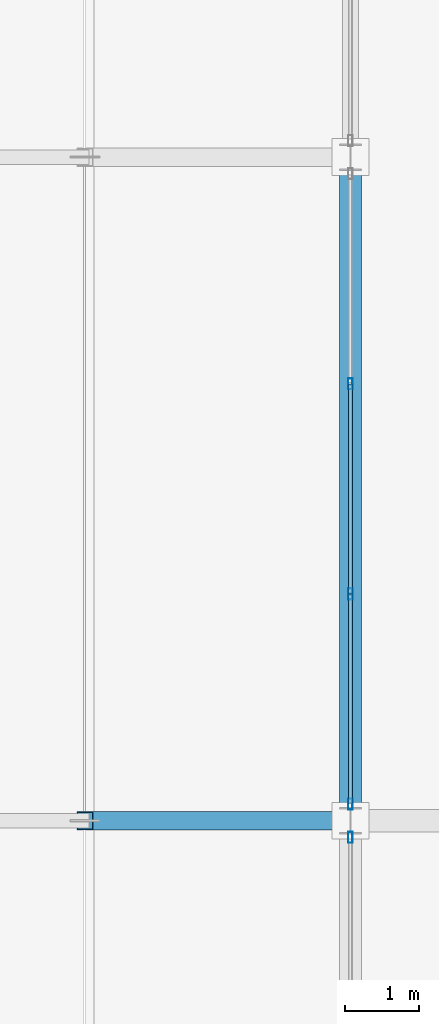
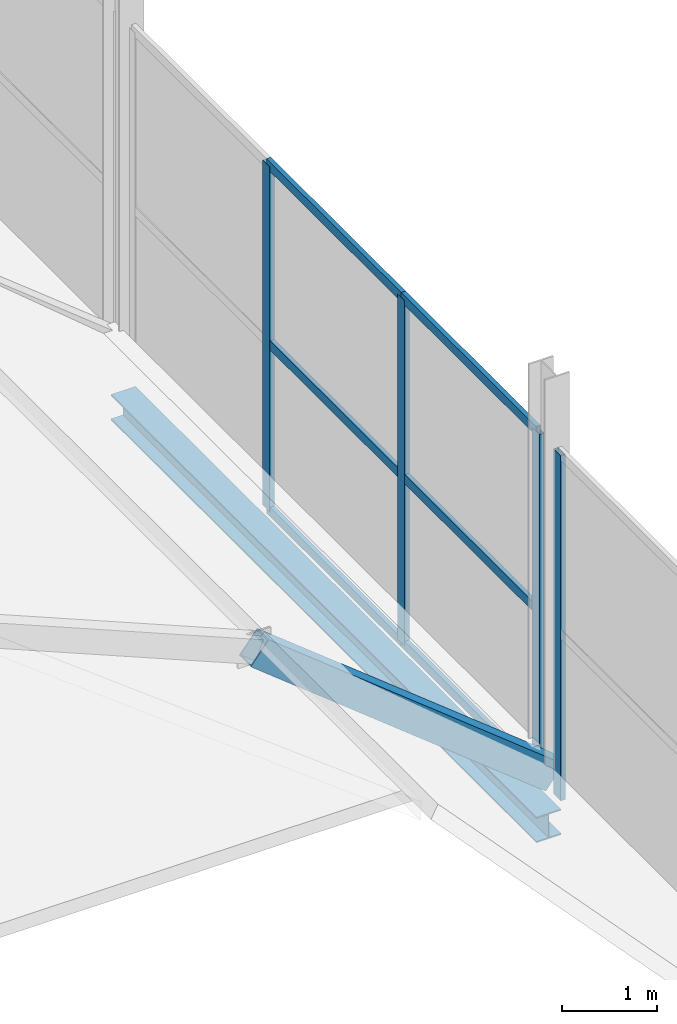
# One storey, part 32 of 141: 11 members, 1 beam, 2 elements without a shape of their own.
"""IFC4 building model written with IfcOpenShell, lengths in metres."""

from ifc_helpers import new_model, si_unit, direction, frame, origin, origin_2d, place, context, subcontext, project, spatial, hollow_rectangle, i_section, extrude, material, layer, layer_set, material_profile, profile_set, type_object, element, aggregate, save


model = new_model("IFC4")

# Units and contexts
model_context = context("Model", 3, precision=1e-05, world=origin(), true_north=direction((0.0, 1.0)))
body_context = subcontext(model_context, "Body", "Model", "MODEL_VIEW")
ifc_project = project(units=[si_unit("LENGTHUNIT", "METRE"), si_unit("AREAUNIT", "SQUARE_METRE"), si_unit("VOLUMEUNIT", "CUBIC_METRE"), si_unit("PLANEANGLEUNIT", "RADIAN"), si_unit("MASSUNIT", "GRAM", prefix="KILO")], contexts=[model_context])

# Site, building, storey
site_placement = place(None, origin())
site = spatial("IfcSite", under=ifc_project, at=site_placement, CompositionType="ELEMENT")
building_placement = place(site_placement, origin())
building = spatial("IfcBuilding", under=site, at=building_placement, Name="Sundgate Opera House", CompositionType="ELEMENT")
storey_placement = place(building_placement, frame((0.0, 0.0, 11.39990234375)))
storey = spatial("IfcBuildingStorey", under=building, at=storey_placement, Name="L02", CompositionType="ELEMENT", Elevation=11.39990234375)

# Beam
ifc_material_1 = material(Name="Steel S355J2", Category="steel")
ifc_material_profile_1 = material_profile(ifc_material_1, i_section(OverallWidth=0.300048828125, OverallDepth=0.330078125, WebThickness=0.009521484375, FlangeThickness=0.0166015625, at=origin_2d()), Name="HEA 340")
ifc_profile_set_1 = profile_set([ifc_material_profile_1], Name="Steel S355J2")
beam_type = type_object("IfcBeamType", Name="BM-GR-HEA340", PredefinedType="BEAM", material=ifc_profile_set_1)
beam_placement = place(storey_placement, frame((95.39990234375, 42.0, -0.514892578125), z_axis=(0.0, 1.0, 0.0), x_axis=(-1.0, 0.0, 0.0)))
element("IfcBeam", 1, at=beam_placement, inside=storey, type_object=beam_type, Name="L02 Primary N-S Girder B1848", PredefinedType="BEAM", context=body_context, shape_type="SweptSolid", body=[
    extrude(i_section(OverallWidth=0.300048828125, OverallDepth=0.330078125, WebThickness=0.009521484375, FlangeThickness=0.0166015625, at=origin_2d()), origin(), (0.0, 0.0, 1.0), 9.0),
])

# Curtain wall, member
ifc_material_2 = material(Name="Anodized aluminium and low-iron glass", Category="aluminium")
ifc_layer = layer(ifc_material_2, 0.159912109375)
ifc_layer_set = layer_set([ifc_layer], Name="Anodized aluminium and low-iron glass")
curtain_wall_type = type_object("IfcCurtainWallType", Name="CW-STUDIO-DARK", PredefinedType="NOTDEFINED", material=ifc_layer_set)
curtain_wall_1_placement = place(storey_placement, origin())
curtain_wall_1 = element("IfcCurtainWall", 2, at=curtain_wall_1_placement, inside=storey, type_object=curtain_wall_type, Name="L02 Curtain Wall CW062", PredefinedType="NOTDEFINED")
ifc_material_3 = material(Name="Anodized aluminium EN AW-6063", Category="aluminium")
ifc_material_profile_2 = material_profile(ifc_material_3, hollow_rectangle(XDim=0.06005859375, YDim=0.14990234375, WallThickness=0.00390625, at=origin_2d()), Name="CWM 150x60x4")
ifc_profile_set_2 = profile_set([ifc_material_profile_2], Name="Anodized aluminium EN AW-6063")
member_type_1 = type_object("IfcMemberType", Name="CWM-ALU-150x60", PredefinedType="MULLION", material=ifc_profile_set_2)
member_1_placement = place(storey_placement, frame((95.39990234375, 41.77490234375, 0.0), z_axis=(0.0, 0.0, 1.0), x_axis=(1.0, 0.0, 0.0)))
member_1 = element("IfcMember", 3, at=member_1_placement, type_object=member_type_1, Name="CW062 Mullion 1", PredefinedType="MULLION", context=body_context, shape_type="SweptSolid", body=[
    extrude(hollow_rectangle(XDim=0.06005859375, YDim=0.14990234375, WallThickness=0.00390625, at=origin_2d()), origin(), (0.0, 0.0, 1.0), 4.455078125),
])
aggregate(curtain_wall_1, [member_1])

# Curtain wall, members
curtain_wall_2_placement = place(storey_placement, origin())
curtain_wall_2 = element("IfcCurtainWall", 4, at=curtain_wall_2_placement, inside=storey, type_object=curtain_wall_type, Name="L02 Curtain Wall CW064", PredefinedType="NOTDEFINED")
member_2_placement = place(storey_placement, frame((95.39990234375, 47.925048828125, 0.0), z_axis=(0.0, 0.0, 1.0), x_axis=(1.0, 0.0, 0.0)))
member_2 = element("IfcMember", 5, at=member_2_placement, type_object=member_type_1, Name="CW064 Mullion 2", PredefinedType="MULLION", context=body_context, shape_type="SweptSolid", body=[
    extrude(hollow_rectangle(XDim=0.06005859375, YDim=0.14990234375, WallThickness=0.00390625, at=origin_2d()), origin(), (0.0, 0.0, 1.0), 4.455078125),
])
member_3_placement = place(storey_placement, frame((95.39990234375, 45.074951171875, 0.0), z_axis=(0.0, 0.0, 1.0), x_axis=(1.0, 0.0, 0.0)))
member_3 = element("IfcMember", 6, at=member_3_placement, type_object=member_type_1, Name="CW064 Mullion 3", PredefinedType="MULLION", context=body_context, shape_type="SweptSolid", body=[
    extrude(hollow_rectangle(XDim=0.06005859375, YDim=0.14990234375, WallThickness=0.00390625, at=origin_2d()), origin(), (0.0, 0.0, 1.0), 4.455078125),
])
member_4_placement = place(storey_placement, frame((95.39990234375, 42.22509765625, 0.0), z_axis=(0.0, 0.0, 1.0), x_axis=(1.0, 0.0, 0.0)))
member_4 = element("IfcMember", 7, at=member_4_placement, type_object=member_type_1, Name="CW064 Mullion 4", PredefinedType="MULLION", context=body_context, shape_type="SweptSolid", body=[
    extrude(hollow_rectangle(XDim=0.06005859375, YDim=0.14990234375, WallThickness=0.00390625, at=origin_2d()), origin(), (0.0, 0.0, 1.0), 4.455078125),
])
ifc_material_4 = material(Name="Anodized aluminium EN AW-6063", Category="aluminium")
ifc_material_profile_3 = material_profile(ifc_material_4, hollow_rectangle(XDim=0.054931640625, YDim=0.1201171875, WallThickness=0.00390625, at=origin_2d()), Name="CWT 120x55x4")
ifc_profile_set_3 = profile_set([ifc_material_profile_3], Name="Anodized aluminium EN AW-6063")
member_type_2 = type_object("IfcMemberType", Name="CWT-ALU-120x55", PredefinedType="USERDEFINED", material=ifc_profile_set_3)
member_5_placement = place(storey_placement, frame((95.39990234375, 47.925048828125, 0.0), z_axis=(0.0, -1.0, 0.0), x_axis=(1.0, 0.0, 0.0)))
member_5 = element("IfcMember", 8, at=member_5_placement, type_object=member_type_2, Name="CW064 Transom 4", ObjectType="TRANSOM", PredefinedType="USERDEFINED", context=body_context, shape_type="SweptSolid", body=[
    extrude(hollow_rectangle(XDim=0.054931640625, YDim=0.1201171875, WallThickness=0.00390625, at=origin_2d()), origin(), (0.0, 0.0, 1.0), 2.85009765625),
])
member_6_placement = place(storey_placement, frame((95.39990234375, 47.925048828125, 2.150146484375), z_axis=(0.0, -1.0, 0.0), x_axis=(1.0, 0.0, 0.0)))
member_6 = element("IfcMember", 9, at=member_6_placement, type_object=member_type_2, Name="CW064 Transom 5", ObjectType="TRANSOM", PredefinedType="USERDEFINED", context=body_context, shape_type="SweptSolid", body=[
    extrude(hollow_rectangle(XDim=0.054931640625, YDim=0.1201171875, WallThickness=0.00390625, at=origin_2d()), origin(), (0.0, 0.0, 1.0), 2.85009765625),
])
member_7_placement = place(storey_placement, frame((95.39990234375, 47.925048828125, 4.455078125), z_axis=(0.0, -1.0, 0.0), x_axis=(1.0, 0.0, 0.0)))
member_7 = element("IfcMember", 10, at=member_7_placement, type_object=member_type_2, Name="CW064 Transom 6", ObjectType="TRANSOM", PredefinedType="USERDEFINED", context=body_context, shape_type="SweptSolid", body=[
    extrude(hollow_rectangle(XDim=0.054931640625, YDim=0.1201171875, WallThickness=0.00390625, at=origin_2d()), origin(), (0.0, 0.0, 1.0), 2.85009765625),
])
member_8_placement = place(storey_placement, frame((95.39990234375, 45.074951171875, 0.0), z_axis=(0.0, -1.0, 0.0), x_axis=(1.0, 0.0, 0.0)))
member_8 = element("IfcMember", 11, at=member_8_placement, type_object=member_type_2, Name="CW064 Transom 7", ObjectType="TRANSOM", PredefinedType="USERDEFINED", context=body_context, shape_type="SweptSolid", body=[
    extrude(hollow_rectangle(XDim=0.054931640625, YDim=0.1201171875, WallThickness=0.00390625, at=origin_2d()), origin(), (0.0, 0.0, 1.0), 2.849853515625),
])
member_9_placement = place(storey_placement, frame((95.39990234375, 45.074951171875, 2.150146484375), z_axis=(0.0, -1.0, 0.0), x_axis=(1.0, 0.0, 0.0)))
member_9 = element("IfcMember", 12, at=member_9_placement, type_object=member_type_2, Name="CW064 Transom 8", ObjectType="TRANSOM", PredefinedType="USERDEFINED", context=body_context, shape_type="SweptSolid", body=[
    extrude(hollow_rectangle(XDim=0.054931640625, YDim=0.1201171875, WallThickness=0.00390625, at=origin_2d()), origin(), (0.0, 0.0, 1.0), 2.849853515625),
])
member_10_placement = place(storey_placement, frame((95.39990234375, 45.074951171875, 4.455078125), z_axis=(0.0, -1.0, 0.0), x_axis=(1.0, 0.0, 0.0)))
member_10 = element("IfcMember", 13, at=member_10_placement, type_object=member_type_2, Name="CW064 Transom 9", ObjectType="TRANSOM", PredefinedType="USERDEFINED", context=body_context, shape_type="SweptSolid", body=[
    extrude(hollow_rectangle(XDim=0.054931640625, YDim=0.1201171875, WallThickness=0.00390625, at=origin_2d()), origin(), (0.0, 0.0, 1.0), 2.849853515625),
])
aggregate(curtain_wall_2, [member_2, member_3, member_4, member_5, member_6, member_7, member_8, member_9, member_10])

# Member
ifc_material_5 = material(Name="Steel S355ML", Category="steel")
ifc_material_profile_4 = material_profile(ifc_material_5, hollow_rectangle(XDim=0.25, YDim=0.35009765625, WallThickness=0.012451171875, at=origin_2d()), Name="RHS 350x250x12.5")
ifc_profile_set_4 = profile_set([ifc_material_profile_4], Name="Steel S355ML")
member_type_3 = type_object("IfcMemberType", Name="MB-ARCH-RHS350", PredefinedType="USERDEFINED", material=ifc_profile_set_4)
member_11_placement = place(storey_placement, frame((91.800048828125, 42.0, 3.050048828125), z_axis=(0.782445326099, 0.0, -0.622719288015), x_axis=(0.0, 1.0, 0.0)))
element("IfcMember", 14, at=member_11_placement, inside=storey, type_object=member_type_3, Name="Passage Parabolic Arch Rib M0317", ObjectType="ARCH RIB", PredefinedType="USERDEFINED", context=body_context, shape_type="SweptSolid", body=[
    extrude(hollow_rectangle(XDim=0.25, YDim=0.35009765625, WallThickness=0.012451171875, at=origin_2d()), origin(), (0.0, 0.0, 1.0), 4.600830078125),
])

save(model, "model.ifc")
